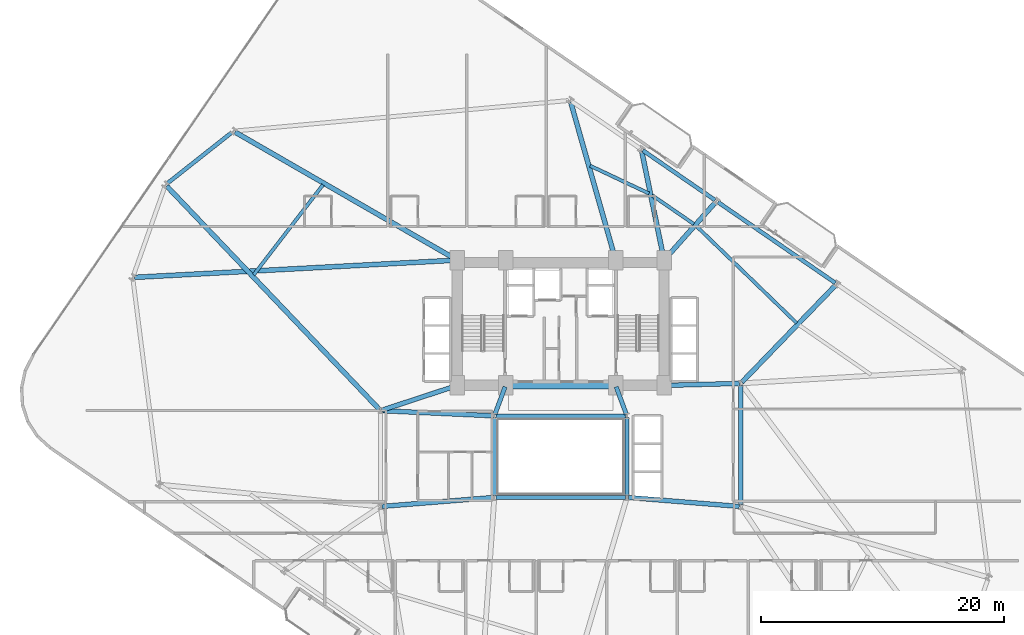
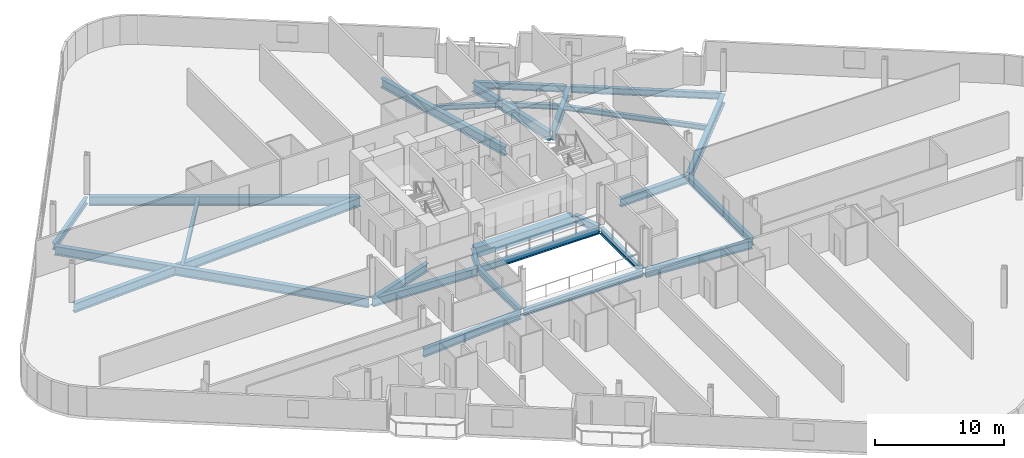
# One storey, part 5 of 25: 27 beams.
"""IFC4 building model written with IfcOpenShell, lengths in metres."""

from ifc_helpers import new_model, si_unit, direction, frame, origin, origin_2d, place, context, subcontext, project, spatial, rectangle, i_section, extrude, material, material_profile, profile_set, type_object, element, save


model = new_model("IFC4")

# Units and contexts
model_context = context("Model", 3, precision=1e-05, world=origin(), true_north=direction((0.0, 1.0)))
body_context = subcontext(model_context, "Body", "Model", "MODEL_VIEW")
ifc_project = project(units=[si_unit("LENGTHUNIT", "METRE"), si_unit("AREAUNIT", "SQUARE_METRE"), si_unit("VOLUMEUNIT", "CUBIC_METRE"), si_unit("PLANEANGLEUNIT", "RADIAN"), si_unit("MASSUNIT", "GRAM", prefix="KILO")], contexts=[model_context])

# Site, building, storey
site_placement = place(None, origin())
site = spatial("IfcSite", under=ifc_project, at=site_placement, CompositionType="ELEMENT")
building_placement = place(site_placement, origin())
building = spatial("IfcBuilding", under=site, at=building_placement, Name="Varnelok Gate Tower", CompositionType="ELEMENT")
storey_placement = place(building_placement, frame((0.0, 0.0, 64.0)))
storey = spatial("IfcBuildingStorey", under=building, at=storey_placement, Name="L15", CompositionType="ELEMENT", Elevation=64.0)

# Beams
ifc_material_1 = material(Name="Structural Steel ASTM A992 Grade 50", Category="steel")
ifc_material_profile_1 = material_profile(ifc_material_1, i_section(OverallWidth=0.280029296875, OverallDepth=0.462890625, WebThickness=0.0107421875, FlangeThickness=0.017333984375, FilletRadius=0.014892578125, at=origin_2d()), Name="W18X76")
ifc_profile_set_1 = profile_set([ifc_material_profile_1], Name="Structural Steel ASTM A992 Grade 50")
beam_type_1 = type_object("IfcBeamType", Name="BM-JST-W18X76", PredefinedType="JOIST", material=ifc_profile_set_1)
beam_1_placement = place(storey_placement, frame((58.5947265625, 33.877197265625, -0.4814453125), z_axis=(-0.718874345173, 0.695140040461, 0.0), x_axis=(-0.695140040461, -0.718874345173, 0.0)))
element("IfcBeam", 1, at=beam_1_placement, inside=storey, type_object=beam_type_1, Name="L15 Sector Floor Joist 7", PredefinedType="JOIST", context=body_context, shape_type="SweptSolid", body=[
    extrude(i_section(OverallWidth=0.280029296875, OverallDepth=0.462890625, WebThickness=0.0107421875, FlangeThickness=0.017333984375, FilletRadius=0.014892578125, at=origin_2d()), origin(), (0.0, 0.0, 1.0), 11.44873046875),
])
beam_2_placement = place(storey_placement, frame((50.1484375, 42.012451171875, -0.4814453125), z_axis=(-0.823530629051, 0.567271806998, 0.0), x_axis=(-0.567271806998, -0.823530629051, 0.0)))
element("IfcBeam", 2, at=beam_2_placement, inside=storey, type_object=beam_type_1, Name="L15 Sector Floor Joist 8", PredefinedType="JOIST", context=body_context, shape_type="SweptSolid", body=[
    extrude(i_section(OverallWidth=0.280029296875, OverallDepth=0.462890625, WebThickness=0.0107421875, FlangeThickness=0.017333984375, FilletRadius=0.014892578125, at=origin_2d()), origin(), (0.0, 0.0, 1.0), 4.182373046875),
])
beam_3_placement = place(storey_placement, frame((46.462158203125, 44.524169921875, -0.4814453125), z_axis=(-0.904778340288, 0.425882794846, 0.0), x_axis=(-0.425882794846, -0.904778340288, 0.0)))
element("IfcBeam", 3, at=beam_3_placement, inside=storey, type_object=beam_type_1, Name="L15 Sector Floor Joist 9", PredefinedType="JOIST", context=body_context, shape_type="SweptSolid", body=[
    extrude(i_section(OverallWidth=0.280029296875, OverallDepth=0.462890625, WebThickness=0.0107421875, FlangeThickness=0.017333984375, FilletRadius=0.014892578125, at=origin_2d()), origin(), (0.0, 0.0, 1.0), 5.3466796875),
])
beam_4_placement = place(storey_placement, frame((19.67578125, 45.244384765625, -0.4814453125), z_axis=(-0.609902498527, -0.792476461663, 0.0), x_axis=(0.792476461663, -0.609902498527, 0.0)))
element("IfcBeam", 4, at=beam_4_placement, inside=storey, type_object=beam_type_1, Name="L15 Sector Floor Joist 10", PredefinedType="JOIST", context=body_context, shape_type="SweptSolid", body=[
    extrude(i_section(OverallWidth=0.280029296875, OverallDepth=0.462890625, WebThickness=0.0107421875, FlangeThickness=0.017333984375, FilletRadius=0.014892578125, at=origin_2d()), origin(), (0.0, 0.0, 1.0), 9.3525390625),
])
ifc_material_2 = material(Name="Concrete C60/75", Category="concrete")
ifc_material_profile_2 = material_profile(ifc_material_2, rectangle(XDim=0.60009765625, YDim=0.949951171875, at=origin_2d()), Name="RC950X600")
ifc_profile_set_2 = profile_set([ifc_material_profile_2], Name="Concrete C60/75")
beam_type_2 = type_object("IfcBeamType", Name="BM-LNT-RC950", PredefinedType="LINTEL", material=ifc_profile_set_2)
beam_5_placement = place(storey_placement, frame((34.800048828125, 28.75, -0.72509765625), z_axis=(1.0, 0.0, 0.0), x_axis=(0.0, 1.0, 0.0)))
element("IfcBeam", 5, at=beam_5_placement, inside=storey, type_object=beam_type_2, Name="L15 Core-Atrium Spine Beam 7", PredefinedType="LINTEL", context=body_context, shape_type="SweptSolid", body=[
    extrude(rectangle(XDim=0.60009765625, YDim=0.949951171875, at=origin_2d()), origin(), (0.0, 0.0, 1.0), 8.800048828125),
])
ifc_material_profile_3 = material_profile(ifc_material_1, i_section(OverallWidth=0.35498046875, OverallDepth=0.696044921875, WebThickness=0.015380859375, FlangeThickness=0.02490234375, FilletRadius=0.02001953125, at=origin_2d()), Name="W27X146")
ifc_profile_set_3 = profile_set([ifc_material_profile_3], Name="Structural Steel ASTM A992 Grade 50")
beam_type_3 = type_object("IfcBeamType", Name="BM-PRI-W27X146", PredefinedType="BEAM", material=ifc_profile_set_3)
for number, where, z_axis, x_axis, name in (
    (6, (33.791748046875, 26.362548828125, -0.597900390625), (0.348719329408, 0.937227202602, 0.0), (-0.937227202602, 0.348719329408, 0.0), "L15 Core-Atrium Spine Beam 12"),
    (7, (44.608154296875, 26.362548828125, -0.597900390625), (-0.348719329408, 0.937227202602, 0.0), (-0.937227202602, -0.348719329408, 0.0), "L15 Core-Atrium Spine Beam 13"),
):
    element("IfcBeam", number, at=place(storey_placement, frame(where, z_axis=z_axis, x_axis=x_axis)), inside=storey, type_object=beam_type_3, Name=name, PredefinedType="BEAM", context=body_context, shape_type="SweptSolid", body=[
        extrude(i_section(OverallWidth=0.35498046875, OverallDepth=0.696044921875, WebThickness=0.015380859375, FlangeThickness=0.02490234375, FilletRadius=0.02001953125, at=origin_2d()), origin(), (0.0, 0.0, 1.0), 2.42724609375),
    ])
beam_6_placement = place(storey_placement, frame((54.0, 18.919921875, -0.597900390625), z_axis=(0.0, 1.0, 0.0), x_axis=(-1.0, 0.0, 0.0)))
element("IfcBeam", 8, at=beam_6_placement, inside=storey, type_object=beam_type_3, Name="L15 Core-Atrium Spine Beam 20", PredefinedType="BEAM", context=body_context, shape_type="SweptSolid", body=[
    extrude(i_section(OverallWidth=0.35498046875, OverallDepth=0.696044921875, WebThickness=0.015380859375, FlangeThickness=0.02490234375, FilletRadius=0.02001953125, at=origin_2d()), origin(), (0.0, 0.0, 1.0), 9.880126953125),
])
ifc_material_profile_4 = material_profile(ifc_material_1, i_section(OverallWidth=0.381103515625, OverallDepth=0.77294921875, WebThickness=0.0166015625, FlangeThickness=0.027099609375, FilletRadius=0.02197265625, at=origin_2d()), Name="W30X173")
ifc_profile_set_4 = profile_set([ifc_material_profile_4], Name="Structural Steel ASTM A992 Grade 50")
beam_type_4 = type_object("IfcBeamType", Name="BM-PRI-W30X173", PredefinedType="BEAM", material=ifc_profile_set_4)
beam_7_placement = place(storey_placement, frame((24.51953125, 18.8095703125, -0.636474609375), z_axis=(0.996799206292, 0.07994587128, 0.0), x_axis=(-0.07994587128, 0.996799206292, 0.0)))
element("IfcBeam", 9, at=beam_7_placement, inside=storey, type_object=beam_type_4, Name="L15 Core-Atrium Spine Beam 14", PredefinedType="BEAM", context=body_context, shape_type="SweptSolid", body=[
    extrude(i_section(OverallWidth=0.381103515625, OverallDepth=0.77294921875, WebThickness=0.0166015625, FlangeThickness=0.027099609375, FilletRadius=0.02197265625, at=origin_2d()), origin(), (0.0, 0.0, 1.0), 9.14013671875),
])
beam_8_placement = place(storey_placement, frame((24.52001953125, 26.674560546875, -0.636474609375), z_axis=(0.99894427814, -0.045938319209, 0.0), x_axis=(0.045938319209, 0.99894427814, 0.0)))
element("IfcBeam", 10, at=beam_8_placement, inside=storey, type_object=beam_type_4, Name="L15 Core-Atrium Spine Beam 15", PredefinedType="BEAM", context=body_context, shape_type="SweptSolid", body=[
    extrude(i_section(OverallWidth=0.381103515625, OverallDepth=0.77294921875, WebThickness=0.0166015625, FlangeThickness=0.027099609375, FilletRadius=0.02197265625, at=origin_2d()), origin(), (0.0, 0.0, 1.0), 9.11962890625),
])
beam_9_placement = place(storey_placement, frame((24.513916015625, 26.717529296875, -0.636474609375), z_axis=(0.950041943788, 0.312122259768, 0.0), x_axis=(-0.312122259768, 0.950041943788, 0.0)))
element("IfcBeam", 11, at=beam_9_placement, inside=storey, type_object=beam_type_4, Name="L15 Core-Atrium Spine Beam 17", PredefinedType="BEAM", context=body_context, shape_type="SweptSolid", body=[
    extrude(i_section(OverallWidth=0.381103515625, OverallDepth=0.77294921875, WebThickness=0.0166015625, FlangeThickness=0.027099609375, FilletRadius=0.02197265625, at=origin_2d()), origin(), (0.0, 0.0, 1.0), 6.391357421875),
])
beam_10_placement = place(storey_placement, frame((44.76953125, 19.540283203125, -0.636474609375), z_axis=(0.996799206292, -0.07994587128, 0.0), x_axis=(0.07994587128, 0.996799206292, 0.0)))
element("IfcBeam", 12, at=beam_10_placement, inside=storey, type_object=beam_type_4, Name="L15 Core-Atrium Spine Beam 18", PredefinedType="BEAM", context=body_context, shape_type="SweptSolid", body=[
    extrude(i_section(OverallWidth=0.381103515625, OverallDepth=0.77294921875, WebThickness=0.0166015625, FlangeThickness=0.027099609375, FilletRadius=0.02197265625, at=origin_2d()), origin(), (0.0, 0.0, 1.0), 9.14013671875),
])
beam_11_placement = place(storey_placement, frame((47.820068359375, 28.753173828125, -0.636474609375), z_axis=(0.999635880609, 0.026983443053, 0.0), x_axis=(-0.026983443053, 0.999635880609, 0.0)))
element("IfcBeam", 13, at=beam_11_placement, inside=storey, type_object=beam_type_4, Name="L15 Core-Atrium Spine Beam 19", PredefinedType="BEAM", context=body_context, shape_type="SweptSolid", body=[
    extrude(i_section(OverallWidth=0.381103515625, OverallDepth=0.77294921875, WebThickness=0.0166015625, FlangeThickness=0.027099609375, FilletRadius=0.02197265625, at=origin_2d()), origin(), (0.0, 0.0, 1.0), 6.06201171875),
])
ifc_material_profile_5 = material_profile(ifc_material_1, i_section(OverallWidth=0.39892578125, OverallDepth=0.85498046875, WebThickness=0.018310546875, FlangeThickness=0.029296875, FilletRadius=0.02392578125, at=origin_2d()), Name="W33X201")
ifc_profile_set_5 = profile_set([ifc_material_profile_5], Name="Structural Steel ASTM A992 Grade 50")
beam_type_5 = type_object("IfcBeamType", Name="BM-PRI-W33X201", PredefinedType="BEAM", material=ifc_profile_set_5)
beam_12_placement = place(storey_placement, frame((54.104248046875, 29.02783203125, -0.677490234375), z_axis=(0.694813956558, 0.719189520066, 0.0), x_axis=(-0.719189520066, 0.694813956558, 0.0)))
element("IfcBeam", 14, at=beam_12_placement, inside=storey, type_object=beam_type_5, Name="L15 Radial Floor Girder 10", PredefinedType="BEAM", context=body_context, shape_type="SweptSolid", body=[
    extrude(i_section(OverallWidth=0.39892578125, OverallDepth=0.85498046875, WebThickness=0.018310546875, FlangeThickness=0.029296875, FilletRadius=0.02392578125, at=origin_2d()), origin(), (0.0, 0.0, 1.0), 11.057373046875),
])
beam_13_placement = place(storey_placement, frame((47.7998046875, 39.162109375, -0.677490234375), z_axis=(0.664520653518, 0.747269898395, 0.0), x_axis=(-0.747269898395, 0.664520653518, 0.0)))
element("IfcBeam", 15, at=beam_13_placement, inside=storey, type_object=beam_type_5, Name="L15 Radial Floor Girder 11", PredefinedType="BEAM", context=body_context, shape_type="SweptSolid", body=[
    extrude(i_section(OverallWidth=0.39892578125, OverallDepth=0.85498046875, WebThickness=0.018310546875, FlangeThickness=0.029296875, FilletRadius=0.02392578125, at=origin_2d()), origin(), (0.0, 0.0, 1.0), 6.18408203125),
])
beam_14_placement = place(storey_placement, frame((47.669921875, 39.197021484375, -0.677490234375), z_axis=(-0.201054404261, 0.979580076628, 0.0), x_axis=(-0.979580076628, -0.201054404261, 0.0)))
element("IfcBeam", 16, at=beam_14_placement, inside=storey, type_object=beam_type_5, Name="L15 Radial Floor Girder 12", PredefinedType="BEAM", context=body_context, shape_type="SweptSolid", body=[
    extrude(i_section(OverallWidth=0.39892578125, OverallDepth=0.85498046875, WebThickness=0.018310546875, FlangeThickness=0.029296875, FilletRadius=0.02392578125, at=origin_2d()), origin(), (0.0, 0.0, 1.0), 8.989501953125),
])
beam_15_placement = place(storey_placement, frame((43.678955078125, 39.1943359375, -0.677490234375), z_axis=(-0.273636323057, 0.961833230193, 0.0), x_axis=(-0.961833230193, -0.273636323057, 0.0)))
element("IfcBeam", 17, at=beam_15_placement, inside=storey, type_object=beam_type_5, Name="L15 Radial Floor Girder 13", PredefinedType="BEAM", context=body_context, shape_type="SweptSolid", body=[
    extrude(i_section(OverallWidth=0.39892578125, OverallDepth=0.85498046875, WebThickness=0.018310546875, FlangeThickness=0.029296875, FilletRadius=0.02392578125, at=origin_2d()), origin(), (0.0, 0.0, 1.0), 13.348388671875),
])
beam_16_placement = place(storey_placement, frame((30.570068359375, 39.125, -0.677490234375), z_axis=(-0.866373398512, 0.499396770465, 0.0), x_axis=(-0.499396770465, -0.866373398512, 0.0)))
element("IfcBeam", 18, at=beam_16_placement, inside=storey, type_object=beam_type_5, Name="L15 Radial Floor Girder 14", PredefinedType="BEAM", context=body_context, shape_type="SweptSolid", body=[
    extrude(i_section(OverallWidth=0.39892578125, OverallDepth=0.85498046875, WebThickness=0.018310546875, FlangeThickness=0.029296875, FilletRadius=0.02392578125, at=origin_2d()), origin(), (0.0, 0.0, 1.0), 20.920166015625),
])
beam_17_placement = place(storey_placement, frame((24.296630859375, 26.78857421875, -0.677490234375), z_axis=(-0.68957548794, 0.72421381265, 0.0), x_axis=(-0.72421381265, -0.68957548794, 0.0)))
element("IfcBeam", 19, at=beam_17_placement, inside=storey, type_object=beam_type_5, Name="L15 Radial Floor Girder 15", PredefinedType="BEAM", context=body_context, shape_type="SweptSolid", body=[
    extrude(i_section(OverallWidth=0.39892578125, OverallDepth=0.85498046875, WebThickness=0.018310546875, FlangeThickness=0.029296875, FilletRadius=0.02392578125, at=origin_2d()), origin(), (0.0, 0.0, 1.0), 25.324462890625),
])
beam_18_placement = place(storey_placement, frame((30.55029296875, 39.0419921875, -0.677490234375), z_axis=(-0.998572952572, -0.053404666383, 0.0), x_axis=(0.053404666383, -0.998572952572, 0.0)))
element("IfcBeam", 20, at=beam_18_placement, inside=storey, type_object=beam_type_5, Name="L15 Radial Floor Girder 16", PredefinedType="BEAM", context=body_context, shape_type="SweptSolid", body=[
    extrude(i_section(OverallWidth=0.39892578125, OverallDepth=0.85498046875, WebThickness=0.018310546875, FlangeThickness=0.029296875, FilletRadius=0.02392578125, at=origin_2d()), origin(), (0.0, 0.0, 1.0), 26.405029296875),
])
ifc_material_profile_6 = material_profile(ifc_material_1, i_section(OverallWidth=0.323974609375, OverallDepth=0.611083984375, WebThickness=0.0126953125, FlangeThickness=0.01904296875, FilletRadius=0.01806640625, at=origin_2d()), Name="W24X104")
ifc_profile_set_6 = profile_set([ifc_material_profile_6], Name="Structural Steel ASTM A992 Grade 50")
beam_type_6 = type_object("IfcBeamType", Name="BM-SPN-W24X104", PredefinedType="SPANDREL", material=ifc_profile_set_6)
for number, where, z_axis, x_axis, name in (
    (21, (33.8701171875, 19.550048828125, -0.555419921875), (1.0, 0.0, 0.0), (0.0, 1.0, 0.0), "L15 Core-Atrium Spine Beam 8"),
    (22, (33.8701171875, 26.25, -0.555419921875), (1.0, 0.0, 0.0), (0.0, 1.0, 0.0), "L15 Core-Atrium Spine Beam 9"),
):
    element("IfcBeam", number, at=place(storey_placement, frame(where, z_axis=z_axis, x_axis=x_axis)), inside=storey, type_object=beam_type_6, Name=name, PredefinedType="SPANDREL", context=body_context, shape_type="SweptSolid", body=[
        extrude(i_section(OverallWidth=0.323974609375, OverallDepth=0.611083984375, WebThickness=0.0126953125, FlangeThickness=0.01904296875, FilletRadius=0.01806640625, at=origin_2d()), origin(), (0.0, 0.0, 1.0), 10.659912109375),
    ])
for number, where, z_axis, x_axis, name in (
    (23, (33.75, 19.669921875, -0.555419921875), (0.0, 1.0, 0.0), (-1.0, 0.0, 0.0), "L15 Core-Atrium Spine Beam 10"),
    (24, (44.64990234375, 19.669921875, -0.555419921875), (0.0, 1.0, 0.0), (-1.0, 0.0, 0.0), "L15 Core-Atrium Spine Beam 11"),
):
    element("IfcBeam", number, at=place(storey_placement, frame(where, z_axis=z_axis, x_axis=x_axis)), inside=storey, type_object=beam_type_6, Name=name, PredefinedType="SPANDREL", context=body_context, shape_type="SweptSolid", body=[
        extrude(i_section(OverallWidth=0.323974609375, OverallDepth=0.611083984375, WebThickness=0.0126953125, FlangeThickness=0.01904296875, FilletRadius=0.01806640625, at=origin_2d()), origin(), (0.0, 0.0, 1.0), 6.4599609375),
    ])
beam_19_placement = place(storey_placement, frame((61.767822265625, 37.173095703125, -0.555419921875), z_axis=(-0.82353077968, 0.567271588324, 0.0), x_axis=(-0.567271588324, -0.82353077968, 0.0)))
element("IfcBeam", 25, at=beam_19_placement, inside=storey, type_object=beam_type_6, Name="L15 Perimeter Spandrel Beam 10", PredefinedType="SPANDREL", context=body_context, shape_type="SweptSolid", body=[
    extrude(i_section(OverallWidth=0.323974609375, OverallDepth=0.611083984375, WebThickness=0.0126953125, FlangeThickness=0.01904296875, FilletRadius=0.01806640625, at=origin_2d()), origin(), (0.0, 0.0, 1.0), 11.7001953125),
])
beam_20_placement = place(storey_placement, frame((51.885498046875, 43.98046875, -0.555419921875), z_axis=(-0.823550897395, 0.567242381527, 0.0), x_axis=(-0.567242381527, -0.823550897395, 0.0)))
element("IfcBeam", 26, at=beam_20_placement, inside=storey, type_object=beam_type_6, Name="L15 Perimeter Spandrel Beam 11", PredefinedType="SPANDREL", context=body_context, shape_type="SweptSolid", body=[
    extrude(i_section(OverallWidth=0.323974609375, OverallDepth=0.611083984375, WebThickness=0.0126953125, FlangeThickness=0.01904296875, FilletRadius=0.01806640625, at=origin_2d()), origin(), (0.0, 0.0, 1.0), 7.2001953125),
])
beam_21_placement = place(storey_placement, frame((12.197509765625, 49.554443359375, -0.555419921875), z_axis=(-0.784860761341, -0.619672159538, 0.0), x_axis=(0.619672159538, -0.784860761341, 0.0)))
element("IfcBeam", 27, at=beam_21_placement, inside=storey, type_object=beam_type_6, Name="L15 Perimeter Spandrel Beam 14", PredefinedType="SPANDREL", context=body_context, shape_type="SweptSolid", body=[
    extrude(i_section(OverallWidth=0.323974609375, OverallDepth=0.611083984375, WebThickness=0.0126953125, FlangeThickness=0.01904296875, FilletRadius=0.01806640625, at=origin_2d()), origin(), (0.0, 0.0, 1.0), 6.81640625),
])

save(model, "model.ifc")
